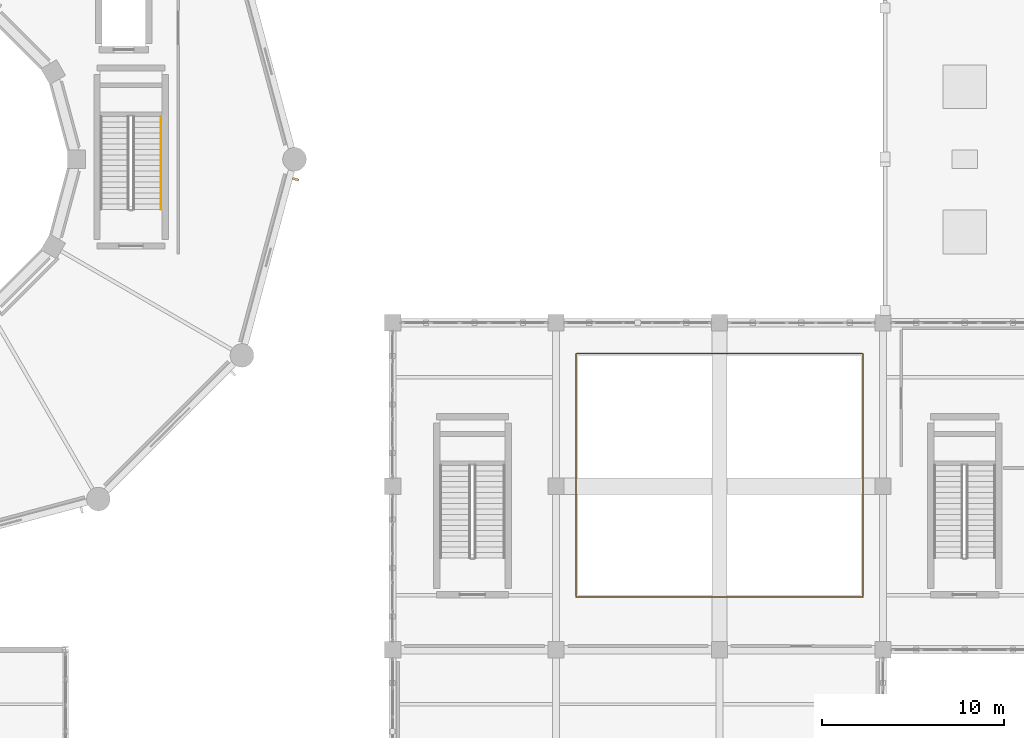
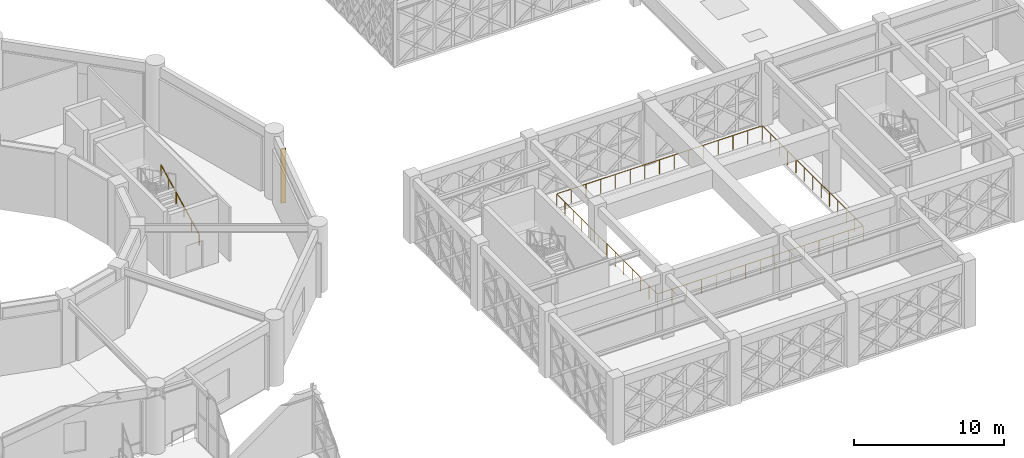
# One storey, part 150 of 155: 2 railings, 1 shading device.
"""IFC4 building model written with IfcOpenShell, lengths in metres."""

from ifc_helpers import new_model, si_unit, direction, frame, origin, origin_2d, place, context, subcontext, project, spatial, rectangle, circle, extrude, material, type_object, element, save


model = new_model("IFC4")

# Units and contexts
model_context = context("Model", 3, precision=1e-05, world=origin(), true_north=direction((0.0, 1.0)))
body_context = subcontext(model_context, "Body", "Model", "MODEL_VIEW")
ifc_project = project(units=[si_unit("LENGTHUNIT", "METRE"), si_unit("AREAUNIT", "SQUARE_METRE"), si_unit("VOLUMEUNIT", "CUBIC_METRE"), si_unit("PLANEANGLEUNIT", "RADIAN"), si_unit("MASSUNIT", "GRAM", prefix="KILO")], contexts=[model_context])

# Site, building, storey
site_placement = place(None, origin())
site = spatial("IfcSite", under=ifc_project, at=site_placement, CompositionType="ELEMENT")
building_placement = place(site_placement, origin())
building = spatial("IfcBuilding", under=site, at=building_placement, Name="Haizhuo Lancet Aquarium", CompositionType="ELEMENT")
storey_placement = place(building_placement, frame((0.0, 0.0, 10.800048828125)))
storey = spatial("IfcBuildingStorey", under=building, at=storey_placement, Name="L02", CompositionType="ELEMENT", Elevation=10.800048828125)

# Railings
ifc_material_1 = material(Name="Steel S355", Category="steel")
railing_type_1 = type_object("IfcRailingType", Name="RL-GRD-1150", PredefinedType="GUARDRAIL", material=ifc_material_1)
railing_1_placement = place(storey_placement, frame((37.10009765625, -24.10009765625, 0.0)))
element("IfcRailing", 1, at=railing_1_placement, inside=storey, type_object=railing_type_1, Name="L02 atrium opening guardrail V3AUD", PredefinedType="GUARDRAIL", context=body_context, shape_type="SweptSolid", body=[
    extrude(circle(Radius=0.02392578125, at=origin_2d()), frame((0.030029296875, 0.0, 1.1259765625), z_axis=(1.0, 0.0, 0.0), x_axis=(0.0, 1.0, 0.0)), (0.0, 0.0, 1.0), 15.73974609375),
    extrude(circle(Radius=0.02392578125, at=origin_2d()), frame((15.7998046875, 0.030029296875, 1.1259765625), z_axis=(0.0, 1.0, 0.0), x_axis=(-1.0, 0.0, 0.0)), (0.0, 0.0, 1.0), 13.340087890625),
    extrude(circle(Radius=0.02392578125, at=origin_2d()), frame((15.769775390625, 13.400146484375, 1.1259765625), z_axis=(-1.0, 0.0, 0.0), x_axis=(0.0, -1.0, 0.0)), (0.0, 0.0, 1.0), 15.73974609375),
    extrude(circle(Radius=0.02392578125, at=origin_2d()), frame((0.0, 13.3701171875, 1.1259765625), z_axis=(0.0, -1.0, 0.0), x_axis=(1.0, 0.0, 0.0)), (0.0, 0.0, 1.0), 13.340087890625),
    extrude(circle(Radius=0.02099609375, at=origin_2d()), origin(), (0.0, 0.0, 1.0), 1.097900390625),
    extrude(circle(Radius=0.02099609375, at=origin_2d()), frame((1.128662109375, 0.0, 0.0)), (0.0, 0.0, 1.0), 1.097900390625),
    extrude(circle(Radius=0.02099609375, at=origin_2d()), frame((2.257080078125, 0.0, 0.0)), (0.0, 0.0, 1.0), 1.097900390625),
    extrude(circle(Radius=0.02099609375, at=origin_2d()), frame((3.3857421875, 0.0, 0.0)), (0.0, 0.0, 1.0), 1.097900390625),
    extrude(circle(Radius=0.02099609375, at=origin_2d()), frame((4.51416015625, 0.0, 0.0)), (0.0, 0.0, 1.0), 1.097900390625),
    extrude(circle(Radius=0.02099609375, at=origin_2d()), frame((5.642822265625, 0.0, 0.0)), (0.0, 0.0, 1.0), 1.097900390625),
    extrude(circle(Radius=0.02099609375, at=origin_2d()), frame((6.771240234375, 0.0, 0.0)), (0.0, 0.0, 1.0), 1.097900390625),
    extrude(circle(Radius=0.02099609375, at=origin_2d()), frame((7.89990234375, 0.0, 0.0)), (0.0, 0.0, 1.0), 1.097900390625),
    extrude(circle(Radius=0.02099609375, at=origin_2d()), frame((9.028564453125, 0.0, 0.0)), (0.0, 0.0, 1.0), 1.097900390625),
    extrude(circle(Radius=0.02099609375, at=origin_2d()), frame((10.156982421875, 0.0, 0.0)), (0.0, 0.0, 1.0), 1.097900390625),
    extrude(circle(Radius=0.02099609375, at=origin_2d()), frame((11.28564453125, 0.0, 0.0)), (0.0, 0.0, 1.0), 1.097900390625),
    extrude(circle(Radius=0.02099609375, at=origin_2d()), frame((12.4140625, 0.0, 0.0)), (0.0, 0.0, 1.0), 1.097900390625),
    extrude(circle(Radius=0.02099609375, at=origin_2d()), frame((13.542724609375, 0.0, 0.0)), (0.0, 0.0, 1.0), 1.097900390625),
    extrude(circle(Radius=0.02099609375, at=origin_2d()), frame((14.671142578125, 0.0, 0.0)), (0.0, 0.0, 1.0), 1.097900390625),
    extrude(circle(Radius=0.02099609375, at=origin_2d()), frame((15.7998046875, 0.0, 0.0)), (0.0, 0.0, 1.0), 1.097900390625),
    extrude(circle(Radius=0.02099609375, at=origin_2d()), frame((15.7998046875, 1.11669921875, 0.0)), (0.0, 0.0, 1.0), 1.097900390625),
    extrude(circle(Radius=0.02099609375, at=origin_2d()), frame((15.7998046875, 2.2333984375, 0.0)), (0.0, 0.0, 1.0), 1.097900390625),
    extrude(circle(Radius=0.02099609375, at=origin_2d()), frame((15.7998046875, 3.35009765625, 0.0)), (0.0, 0.0, 1.0), 1.097900390625),
    extrude(circle(Radius=0.02099609375, at=origin_2d()), frame((15.7998046875, 4.466796875, 0.0)), (0.0, 0.0, 1.0), 1.097900390625),
    extrude(circle(Radius=0.02099609375, at=origin_2d()), frame((15.7998046875, 5.58349609375, 0.0)), (0.0, 0.0, 1.0), 1.097900390625),
    extrude(circle(Radius=0.02099609375, at=origin_2d()), frame((15.7998046875, 6.7001953125, 0.0)), (0.0, 0.0, 1.0), 1.097900390625),
    extrude(circle(Radius=0.02099609375, at=origin_2d()), frame((15.7998046875, 7.816650390625, 0.0)), (0.0, 0.0, 1.0), 1.097900390625),
    extrude(circle(Radius=0.02099609375, at=origin_2d()), frame((15.7998046875, 8.933349609375, 0.0)), (0.0, 0.0, 1.0), 1.097900390625),
    extrude(circle(Radius=0.02099609375, at=origin_2d()), frame((15.7998046875, 10.050048828125, 0.0)), (0.0, 0.0, 1.0), 1.097900390625),
    extrude(circle(Radius=0.02099609375, at=origin_2d()), frame((15.7998046875, 11.166748046875, 0.0)), (0.0, 0.0, 1.0), 1.097900390625),
    extrude(circle(Radius=0.02099609375, at=origin_2d()), frame((15.7998046875, 12.283447265625, 0.0)), (0.0, 0.0, 1.0), 1.097900390625),
    extrude(circle(Radius=0.02099609375, at=origin_2d()), frame((15.7998046875, 13.400146484375, 0.0)), (0.0, 0.0, 1.0), 1.097900390625),
    extrude(circle(Radius=0.02099609375, at=origin_2d()), frame((14.671142578125, 13.400146484375, 0.0)), (0.0, 0.0, 1.0), 1.097900390625),
    extrude(circle(Radius=0.02099609375, at=origin_2d()), frame((13.542724609375, 13.400146484375, 0.0)), (0.0, 0.0, 1.0), 1.097900390625),
    extrude(circle(Radius=0.02099609375, at=origin_2d()), frame((12.4140625, 13.400146484375, 0.0)), (0.0, 0.0, 1.0), 1.097900390625),
    extrude(circle(Radius=0.02099609375, at=origin_2d()), frame((11.28564453125, 13.400146484375, 0.0)), (0.0, 0.0, 1.0), 1.097900390625),
    extrude(circle(Radius=0.02099609375, at=origin_2d()), frame((10.156982421875, 13.400146484375, 0.0)), (0.0, 0.0, 1.0), 1.097900390625),
    extrude(circle(Radius=0.02099609375, at=origin_2d()), frame((9.028564453125, 13.400146484375, 0.0)), (0.0, 0.0, 1.0), 1.097900390625),
    extrude(circle(Radius=0.02099609375, at=origin_2d()), frame((7.89990234375, 13.400146484375, 0.0)), (0.0, 0.0, 1.0), 1.097900390625),
    extrude(circle(Radius=0.02099609375, at=origin_2d()), frame((6.771240234375, 13.400146484375, 0.0)), (0.0, 0.0, 1.0), 1.097900390625),
    extrude(circle(Radius=0.02099609375, at=origin_2d()), frame((5.642822265625, 13.400146484375, 0.0)), (0.0, 0.0, 1.0), 1.097900390625),
    extrude(circle(Radius=0.02099609375, at=origin_2d()), frame((4.51416015625, 13.400146484375, 0.0)), (0.0, 0.0, 1.0), 1.097900390625),
    extrude(circle(Radius=0.02099609375, at=origin_2d()), frame((3.3857421875, 13.400146484375, 0.0)), (0.0, 0.0, 1.0), 1.097900390625),
    extrude(circle(Radius=0.02099609375, at=origin_2d()), frame((2.257080078125, 13.400146484375, 0.0)), (0.0, 0.0, 1.0), 1.097900390625),
    extrude(circle(Radius=0.02099609375, at=origin_2d()), frame((1.128662109375, 13.400146484375, 0.0)), (0.0, 0.0, 1.0), 1.097900390625),
    extrude(circle(Radius=0.02099609375, at=origin_2d()), frame((0.0, 13.400146484375, 0.0)), (0.0, 0.0, 1.0), 1.097900390625),
    extrude(circle(Radius=0.02099609375, at=origin_2d()), frame((0.0, 12.283447265625, 0.0)), (0.0, 0.0, 1.0), 1.097900390625),
    extrude(circle(Radius=0.02099609375, at=origin_2d()), frame((0.0, 11.166748046875, 0.0)), (0.0, 0.0, 1.0), 1.097900390625),
    extrude(circle(Radius=0.02099609375, at=origin_2d()), frame((0.0, 10.050048828125, 0.0)), (0.0, 0.0, 1.0), 1.097900390625),
    extrude(circle(Radius=0.02099609375, at=origin_2d()), frame((0.0, 8.933349609375, 0.0)), (0.0, 0.0, 1.0), 1.097900390625),
    extrude(circle(Radius=0.02099609375, at=origin_2d()), frame((0.0, 7.816650390625, 0.0)), (0.0, 0.0, 1.0), 1.097900390625),
    extrude(circle(Radius=0.02099609375, at=origin_2d()), frame((0.0, 6.7001953125, 0.0)), (0.0, 0.0, 1.0), 1.097900390625),
    extrude(circle(Radius=0.02099609375, at=origin_2d()), frame((0.0, 5.58349609375, 0.0)), (0.0, 0.0, 1.0), 1.097900390625),
    extrude(circle(Radius=0.02099609375, at=origin_2d()), frame((0.0, 4.466796875, 0.0)), (0.0, 0.0, 1.0), 1.097900390625),
    extrude(circle(Radius=0.02099609375, at=origin_2d()), frame((0.0, 3.35009765625, 0.0)), (0.0, 0.0, 1.0), 1.097900390625),
    extrude(circle(Radius=0.02099609375, at=origin_2d()), frame((0.0, 2.2333984375, 0.0)), (0.0, 0.0, 1.0), 1.097900390625),
    extrude(circle(Radius=0.02099609375, at=origin_2d()), frame((0.0, 1.11669921875, 0.0)), (0.0, 0.0, 1.0), 1.097900390625),
])
railing_type_2 = type_object("IfcRailingType", Name="RL-HDR-900", PredefinedType="HANDRAIL", material=ifc_material_1)
railing_2_placement = place(storey_placement, frame((14.25, -2.75, 0.14990234375)))
element("IfcRailing", 2, at=railing_2_placement, inside=storey, type_object=railing_type_2, Name="L02 ST-02 pitch handrail 1", PredefinedType="HANDRAIL", context=body_context, shape_type="SweptSolid", body=[
    extrude(circle(Radius=0.02392578125, at=origin_2d()), frame((0.0, 0.02685546875, 0.88916015625), z_axis=(0.0, 0.894427191, 0.4472135955), x_axis=(-1.0, 0.0, 0.0)), (0.0, 0.0, 1.0), 5.64208984375),
    extrude(circle(Radius=0.02099609375, at=origin_2d()), origin(), (0.0, 0.0, 1.0), 0.847900390625),
    extrude(circle(Radius=0.02099609375, at=origin_2d()), frame((0.0, 1.02001953125, 0.510009765625)), (0.0, 0.0, 1.0), 0.847900390625),
    extrude(circle(Radius=0.02099609375, at=origin_2d()), frame((0.0, 2.0400390625, 1.02001953125)), (0.0, 0.0, 1.0), 0.847900390625),
    extrude(circle(Radius=0.02099609375, at=origin_2d()), frame((0.0, 3.06005859375, 1.530029296875)), (0.0, 0.0, 1.0), 0.847900390625),
    extrude(circle(Radius=0.02099609375, at=origin_2d()), frame((0.0, 4.080078125, 2.0400390625)), (0.0, 0.0, 1.0), 0.847900390625),
    extrude(circle(Radius=0.02099609375, at=origin_2d()), frame((0.0, 5.10009765625, 2.550048828125)), (0.0, 0.0, 1.0), 0.847900390625),
])

# Shading device
ifc_material_2 = material(Name="Shandong Grey Limestone Ashlar", Category="masonry")
shading_device_type = type_object("IfcShadingDeviceType", Name="SHD-LAN-FIN", PredefinedType="JALOUSIE", material=ifc_material_2)
shading_device_placement = place(storey_placement, frame((21.6630859375, -1.097900390625, 0.00048828125), z_axis=(0.0, 0.0, 1.0), x_axis=(-0.25879394043, -0.965932552716, 0.0)))
element("IfcShadingDevice", 3, at=shading_device_placement, inside=storey, type_object=shading_device_type, material=ifc_material_2, Name="L02 Gothic lancet stone solar fin 24", PredefinedType="JALOUSIE", context=body_context, shape_type="SweptSolid", body=[
    extrude(rectangle(XDim=0.1201171875, YDim=0.35009765625, at=origin_2d()), origin(), (0.0, 0.0, 1.0), 4.39501953125),
])

save(model, "model.ifc")
